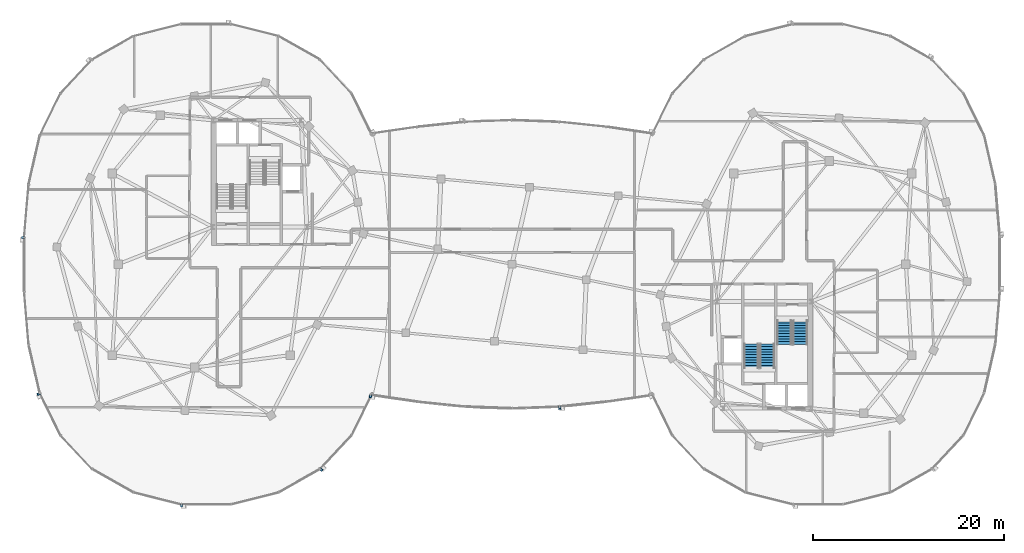
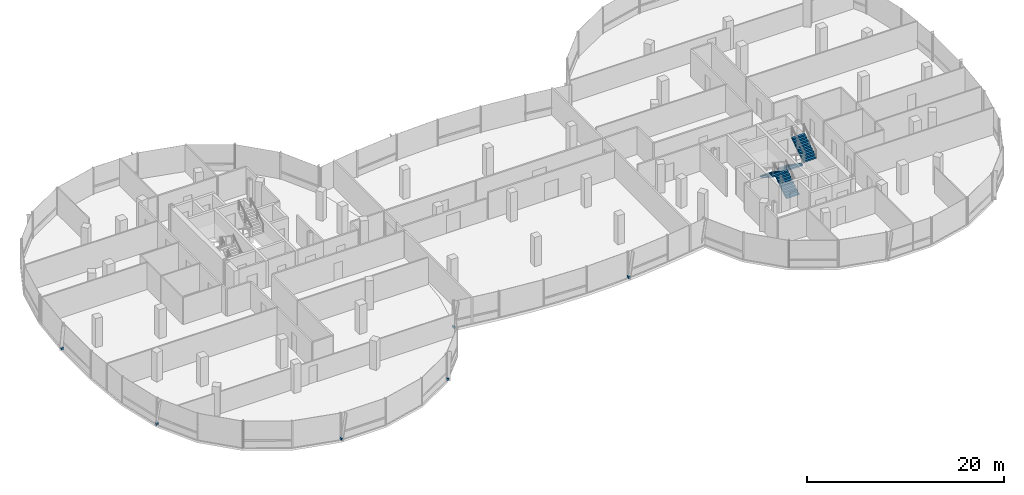
# One storey, part 18 of 26: 6 discrete accessories, 4 stair flights, 2 elements without a shape of their own.
"""IFC4 building model written with IfcOpenShell, lengths in metres."""

from ifc_helpers import new_model, si_unit, direction, frame, origin, origin_2d, place, context, subcontext, project, spatial, polyline, rectangle, outline, extrude, material, type_object, element, aggregate, save


model = new_model("IFC4")

# Units and contexts
model_context = context("Model", 3, precision=1e-05, world=origin(), true_north=direction((0.0, 1.0)))
body_context = subcontext(model_context, "Body", "Model", "MODEL_VIEW")
ifc_project = project(units=[si_unit("LENGTHUNIT", "METRE"), si_unit("AREAUNIT", "SQUARE_METRE"), si_unit("VOLUMEUNIT", "CUBIC_METRE"), si_unit("PLANEANGLEUNIT", "RADIAN"), si_unit("MASSUNIT", "GRAM", prefix="KILO"), si_unit("THERMODYNAMICTEMPERATUREUNIT", "KELVIN"), si_unit("POWERUNIT", "WATT")], contexts=[model_context])

# Site, building, storey
site_placement = place(None, origin())
site = spatial("IfcSite", under=ifc_project, at=site_placement, CompositionType="ELEMENT")
building_placement = place(site_placement, origin())
building = spatial("IfcBuilding", under=site, at=building_placement, Name="Cundina Bronze Exchange", CompositionType="ELEMENT")
storey_placement = place(building_placement, frame((0.0, 0.0, 261.199951171875)))
storey = spatial("IfcBuildingStorey", under=building, at=storey_placement, Name="L69", CompositionType="ELEMENT", Elevation=261.199951171875)

# Stair, stair flights
ifc_material_1 = material(Name="Concrete C40/50", Category="concrete")
stair_type = type_object("IfcStairType", Name="STR-OFF-360", PredefinedType="HALF_TURN_STAIR", material=ifc_material_1)
stair_1_placement = place(storey_placement, origin())
stair_1 = element("IfcStair", 1, at=stair_1_placement, inside=storey, type_object=stair_type, Name="L69 Smokeproof Exit Stair E1", PredefinedType="HALF_TURN_STAIR")
stair_flight_type = type_object("IfcStairFlightType", Name="FLG-OFF-180", PredefinedType="STRAIGHT", material=ifc_material_1)
stair_flight_1_placement = place(storey_placement, frame((28.489990234375, -5.85009765625, 0.0), z_axis=(0.0, 0.0, 1.0), x_axis=(0.0, -1.0, 0.0)))
stair_flight_1 = element("IfcStairFlight", 2, at=stair_flight_1_placement, type_object=stair_flight_type, Name="ST-E1 flight 1", NumberOfRisers=10, NumberOfTreads=9, PredefinedType="STRAIGHT", RiserHeight=0.18, TreadLength=0.28, context=body_context, shape_type="SweptSolid", body=[
    extrude(outline(polyline([(0.0, 0.0), (0.0, 0.179931640625), (0.280029296875, 0.179931640625), (0.280029296875, 0.360107421875), (0.56005859375, 0.360107421875), (0.56005859375, 0.5400390625), (0.840087890625, 0.5400390625), (0.840087890625, 0.719970703125), (1.1201171875, 0.719970703125), (1.1201171875, 0.89990234375), (1.39990234375, 0.89990234375), (1.39990234375, 1.080078125), (1.679931640625, 1.080078125), (1.679931640625, 1.260009765625), (1.9599609375, 1.260009765625), (1.9599609375, 1.43994140625), (2.239990234375, 1.43994140625), (2.239990234375, 1.6201171875), (2.52001953125, 1.6201171875), (2.52001953125, 1.800048828125), (2.52001953125, 1.44189453125), (0.277099609375, 0.0), (0.0, 0.0)])), frame((0.0, 0.75, 0.0), z_axis=(0.0, -1.0, 0.0), x_axis=(1.0, 0.0, 0.0)), (0.0, 0.0, 1.0), 1.5),
])
stair_flight_2_placement = place(storey_placement, frame((30.14990234375, -8.3701171875, 1.800048828125), z_axis=(0.0, 0.0, 1.0), x_axis=(0.0, 1.0, 0.0)))
stair_flight_2 = element("IfcStairFlight", 3, at=stair_flight_2_placement, type_object=stair_flight_type, Name="ST-E1 flight 2", NumberOfRisers=10, NumberOfTreads=9, PredefinedType="STRAIGHT", RiserHeight=0.18, TreadLength=0.28, context=body_context, shape_type="SweptSolid", body=[
    extrude(outline(polyline([(0.0, 0.0), (0.0, 0.179931640625), (0.280029296875, 0.179931640625), (0.280029296875, 0.360107421875), (0.56005859375, 0.360107421875), (0.56005859375, 0.5400390625), (0.840087890625, 0.5400390625), (0.840087890625, 0.719970703125), (1.1201171875, 0.719970703125), (1.1201171875, 0.89990234375), (1.39990234375, 0.89990234375), (1.39990234375, 1.080078125), (1.679931640625, 1.080078125), (1.679931640625, 1.260009765625), (1.9599609375, 1.260009765625), (1.9599609375, 1.43994140625), (2.239990234375, 1.43994140625), (2.239990234375, 1.6201171875), (2.52001953125, 1.6201171875), (2.52001953125, 1.800048828125), (2.52001953125, 1.44189453125), (0.277099609375, 0.0), (0.0, 0.0)])), frame((0.0, 0.75, 0.0), z_axis=(0.0, -1.0, 0.0), x_axis=(1.0, 0.0, 0.0)), (0.0, 0.0, 1.0), 1.5),
])
aggregate(stair_1, [stair_flight_1, stair_flight_2])

stair_2_placement = place(storey_placement, origin())
stair_2 = element("IfcStair", 4, at=stair_2_placement, inside=storey, type_object=stair_type, Name="L69 Smokeproof Exit Stair E2", PredefinedType="HALF_TURN_STAIR")
stair_flight_3_placement = place(storey_placement, frame((26.68994140625, -10.85009765625, 0.0), z_axis=(0.0, 0.0, 1.0), x_axis=(0.0, 1.0, 0.0)))
stair_flight_3 = element("IfcStairFlight", 5, at=stair_flight_3_placement, type_object=stair_flight_type, Name="ST-E2 flight 1", NumberOfRisers=10, NumberOfTreads=9, PredefinedType="STRAIGHT", RiserHeight=0.18, TreadLength=0.28, context=body_context, shape_type="SweptSolid", body=[
    extrude(outline(polyline([(0.0, 0.0), (0.0, 0.179931640625), (0.280029296875, 0.179931640625), (0.280029296875, 0.360107421875), (0.56005859375, 0.360107421875), (0.56005859375, 0.5400390625), (0.840087890625, 0.5400390625), (0.840087890625, 0.719970703125), (1.1201171875, 0.719970703125), (1.1201171875, 0.89990234375), (1.39990234375, 0.89990234375), (1.39990234375, 1.080078125), (1.679931640625, 1.080078125), (1.679931640625, 1.260009765625), (1.9599609375, 1.260009765625), (1.9599609375, 1.43994140625), (2.239990234375, 1.43994140625), (2.239990234375, 1.6201171875), (2.52001953125, 1.6201171875), (2.52001953125, 1.800048828125), (2.52001953125, 1.44189453125), (0.277099609375, 0.0), (0.0, 0.0)])), frame((0.0, 0.75, 0.0), z_axis=(0.0, -1.0, 0.0), x_axis=(1.0, 0.0, 0.0)), (0.0, 0.0, 1.0), 1.5),
])
stair_flight_4_placement = place(storey_placement, frame((25.030029296875, -8.330078125, 1.800048828125), z_axis=(0.0, 0.0, 1.0), x_axis=(0.0, -1.0, 0.0)))
stair_flight_4 = element("IfcStairFlight", 6, at=stair_flight_4_placement, type_object=stair_flight_type, Name="ST-E2 flight 2", NumberOfRisers=10, NumberOfTreads=9, PredefinedType="STRAIGHT", RiserHeight=0.18, TreadLength=0.28, context=body_context, shape_type="SweptSolid", body=[
    extrude(outline(polyline([(0.0, 0.0), (0.0, 0.179931640625), (0.280029296875, 0.179931640625), (0.280029296875, 0.360107421875), (0.56005859375, 0.360107421875), (0.56005859375, 0.5400390625), (0.840087890625, 0.5400390625), (0.840087890625, 0.719970703125), (1.1201171875, 0.719970703125), (1.1201171875, 0.89990234375), (1.39990234375, 0.89990234375), (1.39990234375, 1.080078125), (1.679931640625, 1.080078125), (1.679931640625, 1.260009765625), (1.9599609375, 1.260009765625), (1.9599609375, 1.43994140625), (2.239990234375, 1.43994140625), (2.239990234375, 1.6201171875), (2.52001953125, 1.6201171875), (2.52001953125, 1.800048828125), (2.52001953125, 1.44189453125), (0.277099609375, 0.0), (0.0, 0.0)])), frame((0.0, 0.75, 0.0), z_axis=(0.0, -1.0, 0.0), x_axis=(1.0, 0.0, 0.0)), (0.0, 0.0, 1.0), 1.5),
])
aggregate(stair_2, [stair_flight_3, stair_flight_4])

# Discrete accessories
ifc_material_2 = material(Name="Anodised Bronze Aluminium 6063-T6", Category="aluminium")
discrete_accessory_type = type_object("IfcDiscreteAccessoryType", Name="ACC-BRK-FIN", PredefinedType="BRACKET", material=ifc_material_2)
for number, where, z_axis, x_axis, name in (
    (7, (-51.158935546875, 2.79150390625, 0.10009765625), (0.0, 0.0, 1.0), (0.0, -1.0, 0.0), "L69 Fin Support Bracket 5"),
    (8, (-49.494873046875, -13.565673828125, 0.10009765625), (0.0, 0.0, 1.0), (0.440503330345, -0.897750976582, 0.0), "L69 Fin Support Bracket 1"),
    (9, (-34.576416015625, -25.25, 0.10009765625), (0.0, 0.0, 1.0), (1.0, 0.0, 0.0), "L69 Fin Support Bracket 5"),
    (10, (-19.957763671875, -21.4755859375, 0.10009765625), (0.0, 0.0, 1.0), (0.684343512797, 0.72915976061, 0.0), "L69 Fin Support Bracket 1"),
    (11, (-14.799560546875, -13.79736328125, 0.10009765625), (0.0, 0.0, 1.0), (0.989528308409, -0.144338930496, 0.0), "L69 Fin Support Bracket 1"),
    (12, (5.003173828125, -15.01953125, 0.10009765625), (0.0, 0.0, 1.0), (0.994672274174, 0.103087666525, 0.0), "L69 Fin Support Bracket 5"),
):
    element("IfcDiscreteAccessory", number, at=place(storey_placement, frame(where, z_axis=z_axis, x_axis=x_axis)), inside=storey, type_object=discrete_accessory_type, Name=name, PredefinedType="BRACKET", context=body_context, shape_type="SweptSolid", body=[
        extrude(rectangle(XDim=0.219970703125, YDim=0.320068359375, at=origin_2d()), origin(), (0.0, 0.0, 1.0), 0.239990234375),
    ])

save(model, "model.ifc")
